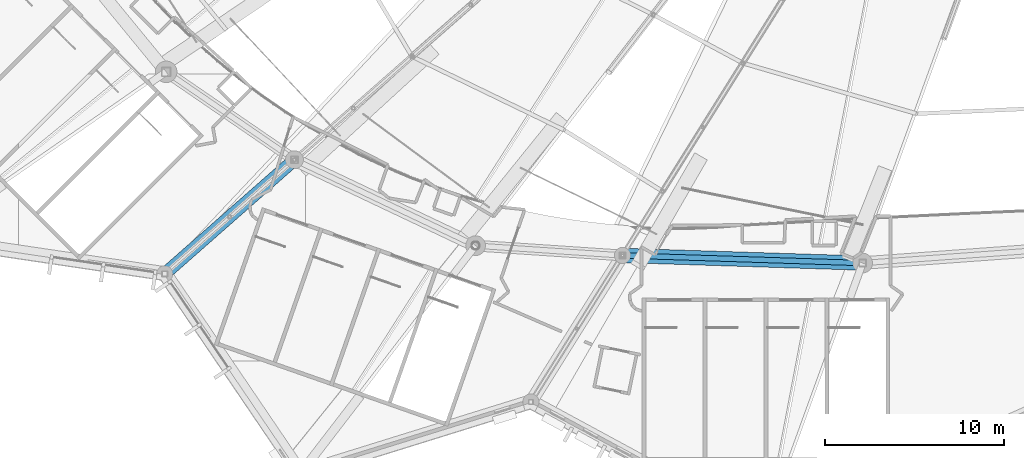
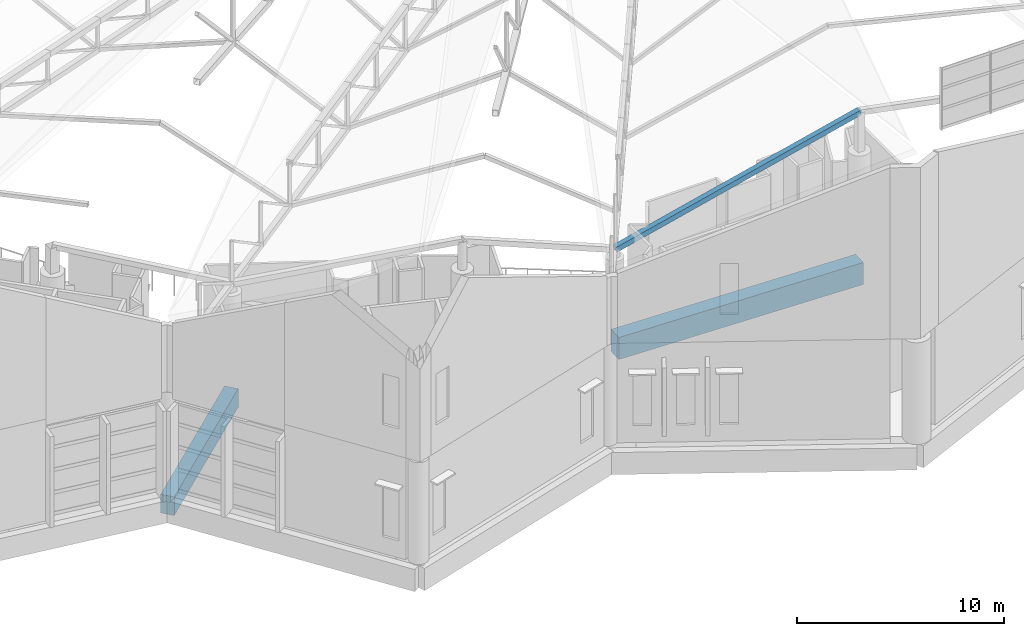
# One storey, part 7 of 344: 2 beams, 1 member.
"""IFC4 building model written with IfcOpenShell, lengths in metres."""

import ifcopenshell
import ifcopenshell.guid

model = None  # the IFC model being written
_history = None  # IfcOwnerHistory: only IFC2X3 demands one
_inside = {}  # id of a spatial element -> (the spatial element, [elements in it])
_under = {}  # id of a project, library or spatial element -> (it, [spatial elements below it])
_declared = {}  # id of a project -> (the project, [libraries it declares])
_typed = {}  # id of a type object -> (the type object, [elements of that type])
_made_of = {}  # id of a material, layer set ... -> (it, [elements and type objects made of it])


def new_model(schema):
    """Start an empty IFC model of exactly this schema.

    Asked for "IFC4X3", IfcOpenShell would pick the latest addendum, in which some entities
    have other attributes; the version numbers below select the first issue.
    IFC2X3 requires an IfcOwnerHistory on every rooted entity: one is made here for all.
    """
    global model, _history
    if schema == "IFC4X3":
        model = ifcopenshell.file(schema_version=(4, 3, 0, 0))
    else:
        model = ifcopenshell.file(schema=schema)
    _inside.clear()
    _under.clear()
    _declared.clear()
    _typed.clear()
    _made_of.clear()
    _history = None
    if model.schema == "IFC2X3":
        org = make("IfcOrganization", Name="unknown")
        user = make(
            "IfcPersonAndOrganization",
            ThePerson=make("IfcPerson", FamilyName="unknown"),
            TheOrganization=org,
        )
        app = make(
            "IfcApplication",
            ApplicationDeveloper=org,
            Version="unknown",
            ApplicationFullName="unknown",
            ApplicationIdentifier="unknown",
        )
        _history = make(
            "IfcOwnerHistory",
            OwningUser=user,
            OwningApplication=app,
            ChangeAction="ADDED",
            CreationDate=0,
        )
    return model


def make(cls, **values):
    """One entity of the class cls with the attributes given. An attribute that is None is left unset."""
    return model.create_entity(
        cls, **{name: value for name, value in values.items() if value is not None}
    )


def rooted(cls, **values):
    """An entity with a GlobalId (a new one), such as an element, a storey or a relation."""
    return make(cls, GlobalId=ifcopenshell.guid.new(), OwnerHistory=_history, **values)


def si_unit(unit_type, name, prefix=None):
    """IfcSIUnit, for example si_unit("LENGTHUNIT", "METRE", prefix="MILLI")."""
    return make("IfcSIUnit", UnitType=unit_type, Prefix=prefix, Name=name)


def assignment(units):
    """IfcUnitAssignment: the units of a project."""
    return None if units is None else make("IfcUnitAssignment", Units=units)


def point(xyz):
    """IfcCartesianPoint."""
    return None if xyz is None else make("IfcCartesianPoint", Coordinates=xyz)


def direction(xyz):
    """IfcDirection."""
    return None if xyz is None else make("IfcDirection", DirectionRatios=xyz)


def frame(location, z_axis=None, x_axis=None):
    """IfcAxis2Placement3D, a coordinate frame: its origin and axes. An axis left out is left unset."""
    return make(
        "IfcAxis2Placement3D",
        Location=point(location),
        Axis=direction(z_axis),
        RefDirection=direction(x_axis),
    )


def frame_2d(location, x_axis=None):
    """IfcAxis2Placement2D, a coordinate frame in the plane: its origin and x axis."""
    return make(
        "IfcAxis2Placement2D", Location=point(location), RefDirection=direction(x_axis)
    )


def origin():
    """The frame at (0, 0, 0) with its axes left unset."""
    return frame((0.0, 0.0, 0.0))


def origin_2d():
    """The frame at (0, 0) in the plane with its x axis left unset."""
    return frame_2d((0.0, 0.0))


def place(relative_to, where):
    """IfcLocalPlacement: puts the frame where relative to a parent placement (None: the world)."""
    return make(
        "IfcLocalPlacement", PlacementRelTo=relative_to, RelativePlacement=where
    )


def context(
    kind, dimensions, precision=None, world=None, true_north=None, identifier=None
):
    """IfcGeometricRepresentationContext, for example the 3D "Model" context."""
    return make(
        "IfcGeometricRepresentationContext",
        ContextIdentifier=identifier,
        ContextType=kind,
        CoordinateSpaceDimension=dimensions,
        Precision=precision,
        WorldCoordinateSystem=world,
        TrueNorth=true_north,
    )


def subcontext(parent, identifier, kind, view, scale=None):
    """IfcGeometricRepresentationSubContext, for example "Body" below "Model"."""
    return make(
        "IfcGeometricRepresentationSubContext",
        ContextIdentifier=identifier,
        ContextType=kind,
        ParentContext=parent,
        TargetScale=scale,
        TargetView=view,
    )


def project(units=None, contexts=None):
    """IfcProject with its units and contexts."""
    return rooted(
        "IfcProject",
        Name="project",
        RepresentationContexts=contexts,
        UnitsInContext=assignment(units),
    )


def spatial(cls, under=None, at=None, **own):
    """A site, building, storey or space (cls), placed at a placement, below another one or the project."""
    s = rooted(cls, ObjectPlacement=at, **own)
    if under is not None:
        _under.setdefault(under.id(), (under, []))[1].append(s)
    return s


def profile(cls, at=None, kind="AREA", **sizes):
    """A parametric profile (cls). Its sizes go by their IFC names, for example OverallWidth=200.0."""
    return make(cls, ProfileType=kind, Position=at, **sizes)


def rectangle(**sizes):
    """IfcRectangleProfileDef."""
    return profile("IfcRectangleProfileDef", **sizes)


def hollow_rectangle(**sizes):
    """IfcRectangleHollowProfileDef."""
    return profile("IfcRectangleHollowProfileDef", **sizes)


def extrude(swept, where, along, depth):
    """IfcExtrudedAreaSolid: the profile swept, set in the frame where, extruded along a direction by depth."""
    return make(
        "IfcExtrudedAreaSolid",
        SweptArea=swept,
        Position=where,
        ExtrudedDirection=direction(along),
        Depth=depth,
    )


def shape(context_of_items, identifier, shape_type, items):
    """IfcShapeRepresentation: the items that make up one representation, for example the "Body"."""
    return make(
        "IfcShapeRepresentation",
        ContextOfItems=context_of_items,
        RepresentationIdentifier=identifier,
        RepresentationType=shape_type,
        Items=items,
    )


def material(Name=None, Category=None):
    """IfcMaterial."""
    return make("IfcMaterial", Name=Name, Category=Category)


def material_profile(
    of_material, cross_section, Name=None, Category=None, Priority=None
):
    """IfcMaterialProfile: a cross section and its material."""
    return make(
        "IfcMaterialProfile",
        Name=Name,
        Material=of_material,
        Profile=cross_section,
        Priority=Priority,
        Category=Category,
    )


def profile_set(profiles, Name=None, composite=None):
    """IfcMaterialProfileSet."""
    return make(
        "IfcMaterialProfileSet",
        Name=Name,
        MaterialProfiles=profiles,
        CompositeProfile=composite,
    )


def made_of(thing, what):
    """Note that an element or type object is made of a material, layer set ...; save() writes the relation."""
    if what is not None:
        _made_of.setdefault(what.id(), (what, []))[1].append(thing)
    return thing


def type_object(cls, material=None, **own):
    """A type object (cls), such as IfcWallType, which elements share."""
    return made_of(rooted(cls, **own), material)


def element(
    cls,
    number,
    at=None,
    inside=None,
    cuts=None,
    type_object=None,
    material=None,
    context=None,
    identifier="Body",
    shape_type=None,
    held_by="IfcProductDefinitionShape",
    body=None,
    shapes=None,
    **own,
):
    """One element of the class cls, such as IfcWall. Its Tag is "e" and its number.

    at: its placement. inside: the storey or other place that contains it. cuts: it is an
    opening in that element (IfcRelVoidsElement). A single representation is given by context,
    identifier, shape_type and body (its items); several are given by shapes. held_by: the class
    of the entity that holds the representations. save() writes the other relations.
    """
    e = rooted(cls, Tag="e%d" % number, ObjectPlacement=at, **own)
    if body is not None:
        shapes = [shape(context, identifier, shape_type, body)]
    if shapes is not None:
        e.Representation = make(held_by, Representations=shapes)
    if inside is not None:
        _inside.setdefault(inside.id(), (inside, []))[1].append(e)
    if cuts is not None:
        rooted(
            "IfcRelVoidsElement", RelatingBuildingElement=cuts, RelatedOpeningElement=e
        )
    if type_object is not None:
        _typed.setdefault(type_object.id(), (type_object, []))[1].append(e)
    return made_of(e, material)


def aggregate(whole, parts):
    """IfcRelAggregates: a whole, such as a stair, and the parts it consists of."""
    return rooted("IfcRelAggregates", RelatingObject=whole, RelatedObjects=parts)


def save(model, path):
    """Write the relations noted so far, then the file.

    IfcRelAggregates (storeys below a building ...), IfcRelContainedInSpatialStructure (elements
    in a storey), IfcRelDefinesByType, IfcRelAssociatesMaterial and IfcRelDeclares: one each for
    every whole, place, type object, material and project.
    """
    for whole, parts in _under.values():
        aggregate(whole, parts)
    for where, things in _inside.values():
        rooted(
            "IfcRelContainedInSpatialStructure",
            RelatedElements=things,
            RelatingStructure=where,
        )
    for kind, things in _typed.values():
        rooted("IfcRelDefinesByType", RelatedObjects=things, RelatingType=kind)
    for what, things in _made_of.values():
        rooted("IfcRelAssociatesMaterial", RelatedObjects=things, RelatingMaterial=what)
    for by, libraries in _declared.values():
        rooted("IfcRelDeclares", RelatingContext=by, RelatedDefinitions=libraries)
    model.write(path)


model = new_model("IFC4")

# Units and contexts
model_context = context("Model", 3, precision=1e-05, world=origin(), true_north=direction((0.0, 1.0)))
body_context = subcontext(model_context, "Body", "Model", "MODEL_VIEW")
ifc_project = project(units=[si_unit("LENGTHUNIT", "METRE"), si_unit("AREAUNIT", "SQUARE_METRE"), si_unit("VOLUMEUNIT", "CUBIC_METRE"), si_unit("PLANEANGLEUNIT", "RADIAN"), si_unit("MASSUNIT", "GRAM", prefix="KILO")], contexts=[model_context])

# Site, building, storey
site_placement = place(None, origin())
site = spatial("IfcSite", under=ifc_project, at=site_placement, CompositionType="ELEMENT")
building_placement = place(site_placement, origin())
building = spatial("IfcBuilding", under=site, at=building_placement, Name="Meseta Stadium", CompositionType="ELEMENT")
storey_placement = place(building_placement, frame((0.0, 0.0, 24.0)))
storey = spatial("IfcBuildingStorey", under=building, at=storey_placement, Name="L04", CompositionType="ELEMENT", Elevation=24.0)

# Beams
ifc_material_1 = material(Name="Concrete C40/50", Category="concrete")
ifc_material_profile_1 = material_profile(ifc_material_1, rectangle(XDim=0.699951171875, YDim=1.10009765625, at=origin_2d()), Name="RC 700x1100")
ifc_profile_set_1 = profile_set([ifc_material_profile_1], Name="Concrete C40/50")
beam_type_1 = type_object("IfcBeamType", Name="RC beam 700x1100", PredefinedType="BEAM", material=ifc_profile_set_1)
beam_1_placement = place(storey_placement, frame((-64.6220703125, -84.79248046875, -0.949951171875), z_axis=(-0.751128714449, -0.66015578035, 0.0), x_axis=(0.66015578035, -0.751128714449, 0.0)))
element("IfcBeam", 1, at=beam_1_placement, inside=storey, type_object=beam_type_1, Name="L04 radial beam frame 41 line P to R", PredefinedType="BEAM", context=body_context, shape_type="SweptSolid", body=[
    extrude(rectangle(XDim=0.699951171875, YDim=1.10009765625, at=origin_2d()), origin(), (0.0, 0.0, 1.0), 9.631591796875),
])
ifc_material_2 = material(Name="Concrete C40/50", Category="concrete")
ifc_material_profile_2 = material_profile(ifc_material_2, rectangle(XDim=0.800048828125, YDim=1.300048828125, at=origin_2d()), Name="RC 800x1300")
ifc_profile_set_2 = profile_set([ifc_material_profile_2], Name="Concrete C40/50")
beam_type_2 = type_object("IfcBeamType", Name="RC beam 800x1300", PredefinedType="BEAM", material=ifc_profile_set_2)
beam_2_placement = place(storey_placement, frame((-46.333251953125, -90.126220703125, -1.050048828125), z_axis=(0.999497062289, -0.031711551154, 0.0), x_axis=(0.031711551154, 0.999497062289, 0.0)))
element("IfcBeam", 2, at=beam_2_placement, inside=storey, type_object=beam_type_2, Name="L04 ring beam frame 43 line P", PredefinedType="BEAM", context=body_context, shape_type="SweptSolid", body=[
    extrude(rectangle(XDim=0.800048828125, YDim=1.300048828125, at=origin_2d()), origin(), (0.0, 0.0, 1.0), 13.39599609375),
])

# Member
ifc_material_3 = material(Name="Steel S355", Category="steel")
ifc_material_profile_3 = material_profile(ifc_material_3, hollow_rectangle(XDim=0.300048828125, YDim=0.300048828125, WallThickness=0.010009765625, at=origin_2d()), Name="SHS 300x300x10")
ifc_profile_set_3 = profile_set([ifc_material_profile_3], Name="Steel S355")
member_type = type_object("IfcMemberType", Name="SHS 300x300x10 pivot strut", PredefinedType="STRUT", material=ifc_profile_set_3)
member_placement = place(storey_placement, frame((-46.333251953125, -90.126220703125, 4.598388671875), z_axis=(0.963927392431, -0.030583014165, 0.264402460967), x_axis=(0.031711551154, 0.999497062289, 0.0)))
element("IfcMember", 3, at=member_placement, inside=storey, type_object=member_type, Name="ROOF PIVOT STRUT RT-43/44", PredefinedType="STRUT", context=body_context, shape_type="SweptSolid", body=[
    extrude(hollow_rectangle(XDim=0.300048828125, YDim=0.300048828125, WallThickness=0.010009765625, at=origin_2d()), origin(), (0.0, 0.0, 1.0), 13.89013671875),
])

save(model, "model.ifc")
